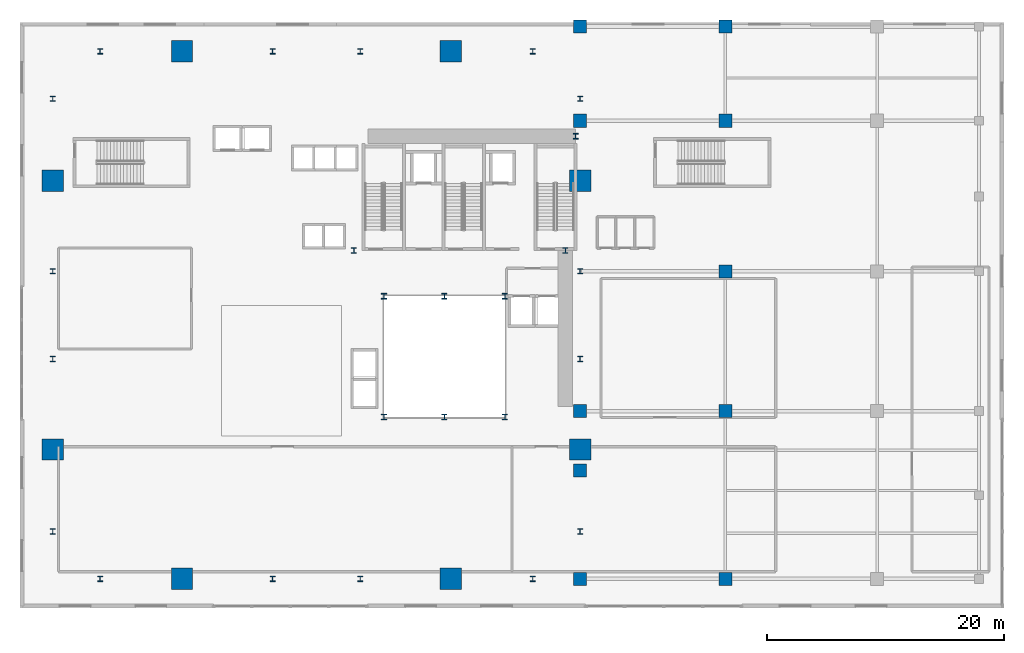
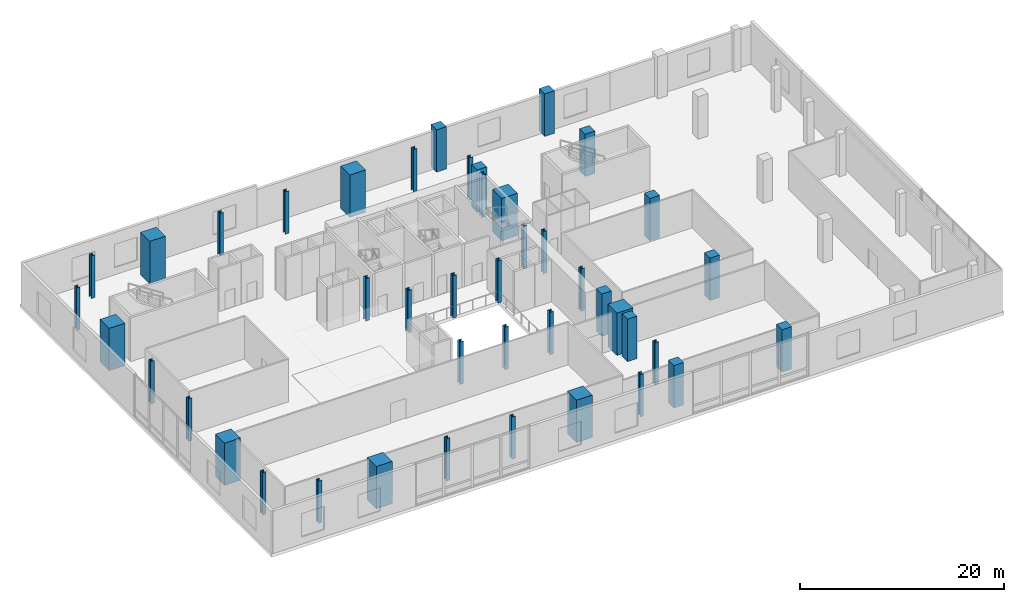
# One storey, part 1 of 12: 43 columns.
"""IFC4 building model written with IfcOpenShell, lengths in metres."""

from ifc_helpers import new_model, si_unit, direction, frame, origin, origin_2d, place, context, subcontext, project, spatial, rectangle, i_section, extrude, source, transform, mapped, material, material_profile, profile_set, type_object, element, save


model = new_model("IFC4")

# Units and contexts
model_context = context("Model", 3, precision=1e-05, world=origin(), true_north=direction((0.0, 1.0)))
body_context = subcontext(model_context, "Body", "Model", "MODEL_VIEW")
ifc_project = project(units=[si_unit("LENGTHUNIT", "METRE"), si_unit("AREAUNIT", "SQUARE_METRE"), si_unit("VOLUMEUNIT", "CUBIC_METRE"), si_unit("PLANEANGLEUNIT", "RADIAN"), si_unit("MASSUNIT", "GRAM", prefix="KILO")], contexts=[model_context])

# Site, building, storey
site_placement = place(None, origin())
site = spatial("IfcSite", under=ifc_project, at=site_placement, CompositionType="ELEMENT")
building_placement = place(site_placement, origin())
building = spatial("IfcBuilding", under=site, at=building_placement, Name="Vardaveli Station Tower", CompositionType="ELEMENT")
storey_placement = place(building_placement, frame((0.0, 0.0, 17.0)))
storey = spatial("IfcBuildingStorey", under=building, at=storey_placement, Name="L04", CompositionType="ELEMENT", Elevation=17.0)

# Columns
ifc_material_1 = material(Name="Structural steel S460M", Category="steel")
ifc_material_profile_1 = material_profile(ifc_material_1, i_section(OverallWidth=0.427978515625, OverallDepth=0.48095703125, WebThickness=0.03955078125, FlangeThickness=0.0634765625, FilletRadius=0.014892578125, at=origin_2d()), Name="HD 400x677")
ifc_profile_set_1 = profile_set([ifc_material_profile_1], Name="Structural steel S460M")
column_type_1 = type_object("IfcColumnType", Name="COL-HD677", PredefinedType="COLUMN", material=ifc_profile_set_1)
shared_shape_1 = source(origin(), body_context, "Body", "SweptSolid", [
    extrude(i_section(OverallWidth=0.427978515625, OverallDepth=0.48095703125, WebThickness=0.03955078125, FlangeThickness=0.0634765625, FilletRadius=0.014892578125, at=origin_2d()), origin(), (0.0, 0.0, 1.0), 5.080078125),
])
for number, where, z_axis, x_axis, name in (
    (1, (31.199951171875, 16.60009765625, 0.0), (0.0, 0.0, 1.0), (1.0, 0.0, 0.0), "COL-L04-AC1"),
    (2, (36.300048828125, 16.60009765625, 0.0), (0.0, 0.0, 1.0), (1.0, 0.0, 0.0), "COL-L04-AC2"),
    (3, (41.39990234375, 16.60009765625, 0.0), (0.0, 0.0, 1.0), (1.0, 0.0, 0.0), "COL-L04-AC3"),
    (4, (41.39990234375, 26.800048828125, 0.0), (0.0, 0.0, 1.0), (1.0, 0.0, 0.0), "COL-L04-AC4"),
    (5, (36.300048828125, 26.800048828125, 0.0), (0.0, 0.0, 1.0), (1.0, 0.0, 0.0), "COL-L04-AC5"),
    (6, (31.199951171875, 26.800048828125, 0.0), (0.0, 0.0, 1.0), (1.0, 0.0, 0.0), "COL-L04-AC6"),
    (7, (28.64990234375, 30.64990234375, 0.0), (0.0, 0.0, 1.0), (1.0, 0.0, 0.0), "COL-L04-CC1"),
    (8, (46.5, 30.64990234375, 0.0), (0.0, 0.0, 1.0), (1.0, 0.0, 0.0), "COL-L04-CC2"),
    (9, (47.3701171875, 40.300048828125, 0.0), (0.0, 0.0, 1.0), (1.0, 0.0, 0.0), "COL-L04-CC3"),
):
    element("IfcColumn", number, at=place(storey_placement, frame(where, z_axis=z_axis, x_axis=x_axis)), inside=storey, type_object=column_type_1, Name=name, PredefinedType="COLUMN", context=body_context, shape_type="MappedRepresentation", body=[
        mapped(shared_shape_1, transform((0.0, 0.0, 0.0), scale=1.0)),
    ])
ifc_material_2 = material(Name="Concrete C60/75", Category="concrete")
ifc_material_profile_2 = material_profile(ifc_material_2, rectangle(XDim=1.10009765625, YDim=1.10009765625, at=origin_2d()), Name="RC 1100x1100")
ifc_profile_set_2 = profile_set([ifc_material_profile_2], Name="Concrete C60/75")
column_type_2 = type_object("IfcColumnType", Name="COL-RC-1100", PredefinedType="COLUMN", material=ifc_profile_set_2)
shared_shape_2 = source(origin(), body_context, "Body", "SweptSolid", [
    extrude(rectangle(XDim=1.10009765625, YDim=1.10009765625, at=origin_2d()), origin(), (0.0, 0.0, 1.0), 5.080078125),
])
for number, where, z_axis, x_axis, name in (
    (10, (47.75, 2.949951171875, 0.0), (0.0, 0.0, 1.0), (1.0, 0.0, 0.0), "COL-L04-SC05"),
    (11, (60.0, 2.949951171875, 0.0), (0.0, 0.0, 1.0), (1.0, 0.0, 0.0), "COL-L04-SC06"),
    (12, (47.75, 12.10009765625, 0.0), (0.0, 0.0, 1.0), (1.0, 0.0, 0.0), "COL-L04-SC09"),
    (13, (47.75, 17.10009765625, 0.0), (0.0, 0.0, 1.0), (1.0, 0.0, 0.0), "COL-L04-SC13"),
    (14, (60.0, 17.10009765625, 0.0), (0.0, 0.0, 1.0), (1.0, 0.0, 0.0), "COL-L04-SC14"),
    (15, (60.0, 28.89990234375, 0.0), (0.0, 0.0, 1.0), (1.0, 0.0, 0.0), "COL-L04-SC18B"),
    (16, (47.75, 41.60009765625, 0.0), (0.0, 0.0, 1.0), (1.0, 0.0, 0.0), "COL-L04-SC25"),
    (17, (60.0, 41.60009765625, 0.0), (0.0, 0.0, 1.0), (1.0, 0.0, 0.0), "COL-L04-SC26"),
    (18, (47.75, 49.550048828125, 0.0), (0.0, 0.0, 1.0), (1.0, 0.0, 0.0), "COL-L04-SC34"),
    (19, (60.0, 49.550048828125, 0.0), (0.0, 0.0, 1.0), (1.0, 0.0, 0.0), "COL-L04-SC35"),
):
    element("IfcColumn", number, at=place(storey_placement, frame(where, z_axis=z_axis, x_axis=x_axis)), inside=storey, type_object=column_type_2, Name=name, PredefinedType="COLUMN", context=body_context, shape_type="MappedRepresentation", body=[
        mapped(shared_shape_2, transform((0.0, 0.0, 0.0), scale=1.0)),
    ])
ifc_material_3 = material(Name="Concrete C70/85", Category="concrete")
ifc_material_profile_3 = material_profile(ifc_material_3, rectangle(XDim=1.800048828125, YDim=1.800048828125, at=origin_2d()), Name="MC 1800x1800")
ifc_profile_set_3 = profile_set([ifc_material_profile_3], Name="Concrete C70/85")
column_type_3 = type_object("IfcColumnType", Name="COL-MC-1800", PredefinedType="COLUMN", material=ifc_profile_set_3)
shared_shape_3 = source(origin(), body_context, "Body", "SweptSolid", [
    extrude(rectangle(XDim=1.800048828125, YDim=1.800048828125, at=origin_2d()), origin(), (0.0, 0.0, 1.0), 5.080078125),
])
for number, where, z_axis, x_axis, name in (
    (20, (14.159912109375, 2.949951171875, 0.0), (0.0, 0.0, 1.0), (1.0, 0.0, 0.0), "COL-L04-MC1"),
    (21, (36.840087890625, 2.949951171875, 0.0), (0.0, 0.0, 1.0), (1.0, 0.0, 0.0), "COL-L04-MC2"),
    (22, (47.75, 13.860107421875, 0.0), (0.0, 0.0, 1.0), (1.0, 0.0, 0.0), "COL-L04-MC3"),
    (23, (47.75, 36.5400390625, 0.0), (0.0, 0.0, 1.0), (1.0, 0.0, 0.0), "COL-L04-MC4"),
    (24, (36.840087890625, 47.449951171875, 0.0), (0.0, 0.0, 1.0), (1.0, 0.0, 0.0), "COL-L04-MC5"),
    (25, (14.159912109375, 47.449951171875, 0.0), (0.0, 0.0, 1.0), (1.0, 0.0, 0.0), "COL-L04-MC6"),
    (26, (3.25, 36.5400390625, 0.0), (0.0, 0.0, 1.0), (1.0, 0.0, 0.0), "COL-L04-MC7"),
    (27, (3.25, 13.860107421875, 0.0), (0.0, 0.0, 1.0), (1.0, 0.0, 0.0), "COL-L04-MC8"),
):
    element("IfcColumn", number, at=place(storey_placement, frame(where, z_axis=z_axis, x_axis=x_axis)), inside=storey, type_object=column_type_3, Name=name, PredefinedType="COLUMN", context=body_context, shape_type="MappedRepresentation", body=[
        mapped(shared_shape_3, transform((0.0, 0.0, 0.0), scale=1.0)),
    ])
ifc_material_profile_4 = material_profile(ifc_material_1, i_section(OverallWidth=0.4189453125, OverallDepth=0.448974609375, WebThickness=0.030517578125, FlangeThickness=0.04833984375, FilletRadius=0.014892578125, at=origin_2d()), Name="HD 400x509")
ifc_profile_set_4 = profile_set([ifc_material_profile_4], Name="Structural steel S460M")
column_type_4 = type_object("IfcColumnType", Name="COL-HD509", PredefinedType="COLUMN", material=ifc_profile_set_4)
shared_shape_4 = source(origin(), body_context, "Body", "SweptSolid", [
    extrude(i_section(OverallWidth=0.4189453125, OverallDepth=0.448974609375, WebThickness=0.030517578125, FlangeThickness=0.04833984375, FilletRadius=0.014892578125, at=origin_2d()), origin(), (0.0, 0.0, 1.0), 5.080078125),
])
for number, where, z_axis, x_axis, name in (
    (28, (7.25, 2.949951171875, 0.0), (0.0, 0.0, 1.0), (1.0, 0.0, 0.0), "COL-L04-PC01"),
    (29, (21.800048828125, 2.949951171875, 0.0), (0.0, 0.0, 1.0), (1.0, 0.0, 0.0), "COL-L04-PC02"),
    (30, (29.199951171875, 2.949951171875, 0.0), (0.0, 0.0, 1.0), (1.0, 0.0, 0.0), "COL-L04-PC03"),
    (31, (43.75, 2.949951171875, 0.0), (0.0, 0.0, 1.0), (1.0, 0.0, 0.0), "COL-L04-PC04"),
    (32, (47.75, 6.949951171875, 0.0), (0.0, 0.0, 1.0), (1.0, 0.0, 0.0), "COL-L04-PC05"),
    (33, (47.75, 21.5, 0.0), (0.0, 0.0, 1.0), (1.0, 0.0, 0.0), "COL-L04-PC06"),
    (34, (47.75, 28.89990234375, 0.0), (0.0, 0.0, 1.0), (1.0, 0.0, 0.0), "COL-L04-PC07"),
    (35, (47.75, 43.449951171875, 0.0), (0.0, 0.0, 1.0), (1.0, 0.0, 0.0), "COL-L04-PC08"),
    (36, (43.75, 47.449951171875, 0.0), (0.0, 0.0, 1.0), (1.0, 0.0, 0.0), "COL-L04-PC09"),
    (37, (29.199951171875, 47.449951171875, 0.0), (0.0, 0.0, 1.0), (1.0, 0.0, 0.0), "COL-L04-PC10"),
    (38, (21.800048828125, 47.449951171875, 0.0), (0.0, 0.0, 1.0), (1.0, 0.0, 0.0), "COL-L04-PC11"),
    (39, (7.25, 47.449951171875, 0.0), (0.0, 0.0, 1.0), (1.0, 0.0, 0.0), "COL-L04-PC12"),
    (40, (3.25, 43.449951171875, 0.0), (0.0, 0.0, 1.0), (1.0, 0.0, 0.0), "COL-L04-PC13"),
    (41, (3.25, 28.89990234375, 0.0), (0.0, 0.0, 1.0), (1.0, 0.0, 0.0), "COL-L04-PC14"),
    (42, (3.25, 21.5, 0.0), (0.0, 0.0, 1.0), (1.0, 0.0, 0.0), "COL-L04-PC15"),
    (43, (3.25, 6.949951171875, 0.0), (0.0, 0.0, 1.0), (1.0, 0.0, 0.0), "COL-L04-PC16"),
):
    element("IfcColumn", number, at=place(storey_placement, frame(where, z_axis=z_axis, x_axis=x_axis)), inside=storey, type_object=column_type_4, Name=name, PredefinedType="COLUMN", context=body_context, shape_type="MappedRepresentation", body=[
        mapped(shared_shape_4, transform((0.0, 0.0, 0.0), scale=1.0)),
    ])

save(model, "model.ifc")
